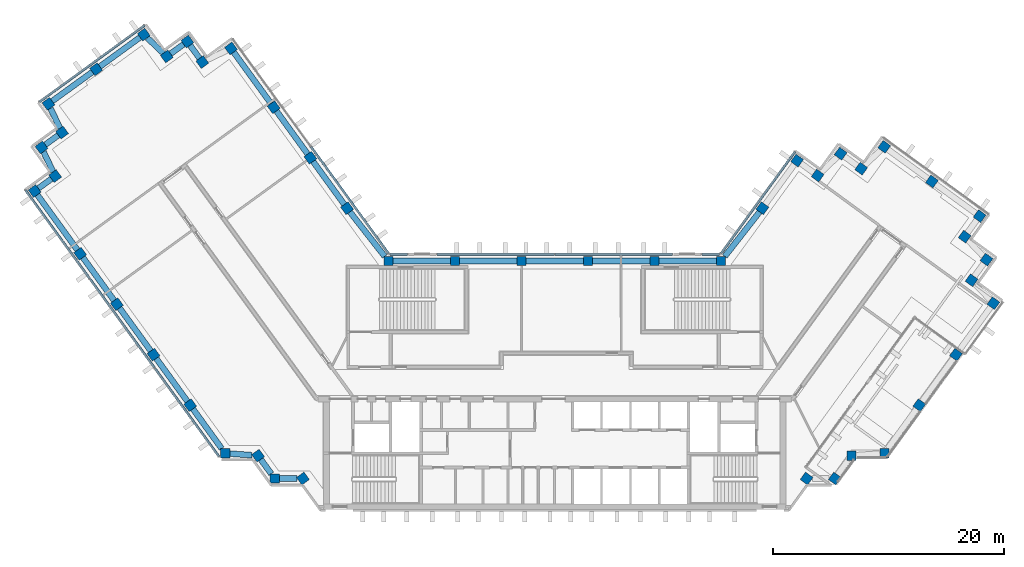
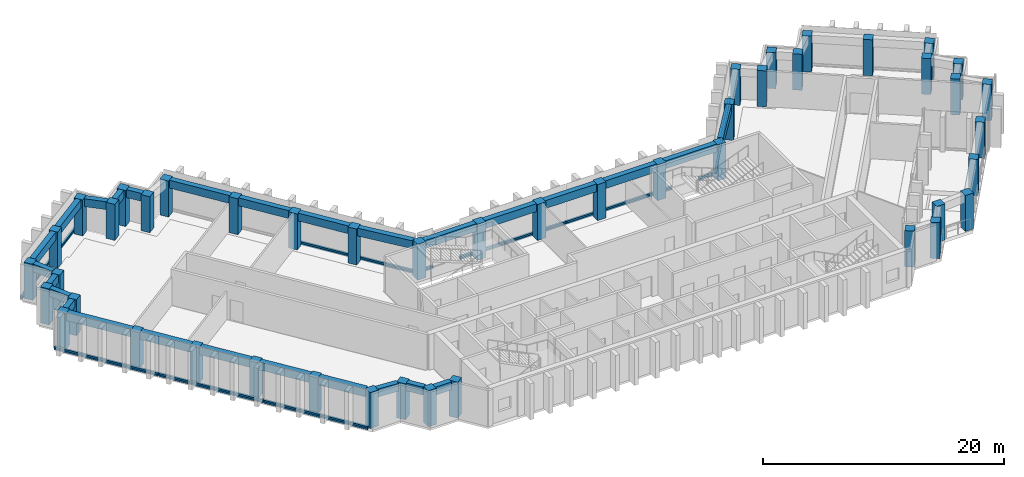
"""IFC4 building model written with IfcOpenShell, lengths in metres."""

import ifcopenshell
import ifcopenshell.guid

model = None  # the IFC model being written
_history = None  # IfcOwnerHistory: only IFC2X3 demands one
_inside = {}  # id of a spatial element -> (the spatial element, [elements in it])
_under = {}  # id of a project, library or spatial element -> (it, [spatial elements below it])
_declared = {}  # id of a project -> (the project, [libraries it declares])
_typed = {}  # id of a type object -> (the type object, [elements of that type])
_made_of = {}  # id of a material, layer set ... -> (it, [elements and type objects made of it])


def new_model(schema):
    """Start an empty IFC model of exactly this schema.

    Asked for "IFC4X3", IfcOpenShell would pick the latest addendum, in which some entities
    have other attributes; the version numbers below select the first issue.
    IFC2X3 requires an IfcOwnerHistory on every rooted entity: one is made here for all.
    """
    global model, _history
    if schema == "IFC4X3":
        model = ifcopenshell.file(schema_version=(4, 3, 0, 0))
    else:
        model = ifcopenshell.file(schema=schema)
    _inside.clear()
    _under.clear()
    _declared.clear()
    _typed.clear()
    _made_of.clear()
    _history = None
    if model.schema == "IFC2X3":
        org = make("IfcOrganization", Name="unknown")
        user = make(
            "IfcPersonAndOrganization",
            ThePerson=make("IfcPerson", FamilyName="unknown"),
            TheOrganization=org,
        )
        app = make(
            "IfcApplication",
            ApplicationDeveloper=org,
            Version="unknown",
            ApplicationFullName="unknown",
            ApplicationIdentifier="unknown",
        )
        _history = make(
            "IfcOwnerHistory",
            OwningUser=user,
            OwningApplication=app,
            ChangeAction="ADDED",
            CreationDate=0,
        )
    return model


def make(cls, **values):
    """One entity of the class cls with the attributes given. An attribute that is None is left unset."""
    return model.create_entity(
        cls, **{name: value for name, value in values.items() if value is not None}
    )


def rooted(cls, **values):
    """An entity with a GlobalId (a new one), such as an element, a storey or a relation."""
    return make(cls, GlobalId=ifcopenshell.guid.new(), OwnerHistory=_history, **values)


def si_unit(unit_type, name, prefix=None):
    """IfcSIUnit, for example si_unit("LENGTHUNIT", "METRE", prefix="MILLI")."""
    return make("IfcSIUnit", UnitType=unit_type, Prefix=prefix, Name=name)


def assignment(units):
    """IfcUnitAssignment: the units of a project."""
    return None if units is None else make("IfcUnitAssignment", Units=units)


def point(xyz):
    """IfcCartesianPoint."""
    return None if xyz is None else make("IfcCartesianPoint", Coordinates=xyz)


def direction(xyz):
    """IfcDirection."""
    return None if xyz is None else make("IfcDirection", DirectionRatios=xyz)


def frame(location, z_axis=None, x_axis=None):
    """IfcAxis2Placement3D, a coordinate frame: its origin and axes. An axis left out is left unset."""
    return make(
        "IfcAxis2Placement3D",
        Location=point(location),
        Axis=direction(z_axis),
        RefDirection=direction(x_axis),
    )


def frame_2d(location, x_axis=None):
    """IfcAxis2Placement2D, a coordinate frame in the plane: its origin and x axis."""
    return make(
        "IfcAxis2Placement2D", Location=point(location), RefDirection=direction(x_axis)
    )


def origin():
    """The frame at (0, 0, 0) with its axes left unset."""
    return frame((0.0, 0.0, 0.0))


def origin_2d():
    """The frame at (0, 0) in the plane with its x axis left unset."""
    return frame_2d((0.0, 0.0))


def place(relative_to, where):
    """IfcLocalPlacement: puts the frame where relative to a parent placement (None: the world)."""
    return make(
        "IfcLocalPlacement", PlacementRelTo=relative_to, RelativePlacement=where
    )


def context(
    kind, dimensions, precision=None, world=None, true_north=None, identifier=None
):
    """IfcGeometricRepresentationContext, for example the 3D "Model" context."""
    return make(
        "IfcGeometricRepresentationContext",
        ContextIdentifier=identifier,
        ContextType=kind,
        CoordinateSpaceDimension=dimensions,
        Precision=precision,
        WorldCoordinateSystem=world,
        TrueNorth=true_north,
    )


def subcontext(parent, identifier, kind, view, scale=None):
    """IfcGeometricRepresentationSubContext, for example "Body" below "Model"."""
    return make(
        "IfcGeometricRepresentationSubContext",
        ContextIdentifier=identifier,
        ContextType=kind,
        ParentContext=parent,
        TargetScale=scale,
        TargetView=view,
    )


def project(units=None, contexts=None):
    """IfcProject with its units and contexts."""
    return rooted(
        "IfcProject",
        Name="project",
        RepresentationContexts=contexts,
        UnitsInContext=assignment(units),
    )


def spatial(cls, under=None, at=None, **own):
    """A site, building, storey or space (cls), placed at a placement, below another one or the project."""
    s = rooted(cls, ObjectPlacement=at, **own)
    if under is not None:
        _under.setdefault(under.id(), (under, []))[1].append(s)
    return s


def profile(cls, at=None, kind="AREA", **sizes):
    """A parametric profile (cls). Its sizes go by their IFC names, for example OverallWidth=200.0."""
    return make(cls, ProfileType=kind, Position=at, **sizes)


def rectangle(**sizes):
    """IfcRectangleProfileDef."""
    return profile("IfcRectangleProfileDef", **sizes)


def extrude(swept, where, along, depth):
    """IfcExtrudedAreaSolid: the profile swept, set in the frame where, extruded along a direction by depth."""
    return make(
        "IfcExtrudedAreaSolid",
        SweptArea=swept,
        Position=where,
        ExtrudedDirection=direction(along),
        Depth=depth,
    )


def shape(context_of_items, identifier, shape_type, items):
    """IfcShapeRepresentation: the items that make up one representation, for example the "Body"."""
    return make(
        "IfcShapeRepresentation",
        ContextOfItems=context_of_items,
        RepresentationIdentifier=identifier,
        RepresentationType=shape_type,
        Items=items,
    )


def material(Name=None, Category=None):
    """IfcMaterial."""
    return make("IfcMaterial", Name=Name, Category=Category)


def material_profile(
    of_material, cross_section, Name=None, Category=None, Priority=None
):
    """IfcMaterialProfile: a cross section and its material."""
    return make(
        "IfcMaterialProfile",
        Name=Name,
        Material=of_material,
        Profile=cross_section,
        Priority=Priority,
        Category=Category,
    )


def profile_set(profiles, Name=None, composite=None):
    """IfcMaterialProfileSet."""
    return make(
        "IfcMaterialProfileSet",
        Name=Name,
        MaterialProfiles=profiles,
        CompositeProfile=composite,
    )


def made_of(thing, what):
    """Note that an element or type object is made of a material, layer set ...; save() writes the relation."""
    if what is not None:
        _made_of.setdefault(what.id(), (what, []))[1].append(thing)
    return thing


def type_object(cls, material=None, **own):
    """A type object (cls), such as IfcWallType, which elements share."""
    return made_of(rooted(cls, **own), material)


def element(
    cls,
    number,
    at=None,
    inside=None,
    cuts=None,
    type_object=None,
    material=None,
    context=None,
    identifier="Body",
    shape_type=None,
    held_by="IfcProductDefinitionShape",
    body=None,
    shapes=None,
    **own,
):
    """One element of the class cls, such as IfcWall. Its Tag is "e" and its number.

    at: its placement. inside: the storey or other place that contains it. cuts: it is an
    opening in that element (IfcRelVoidsElement). A single representation is given by context,
    identifier, shape_type and body (its items); several are given by shapes. held_by: the class
    of the entity that holds the representations. save() writes the other relations.
    """
    e = rooted(cls, Tag="e%d" % number, ObjectPlacement=at, **own)
    if body is not None:
        shapes = [shape(context, identifier, shape_type, body)]
    if shapes is not None:
        e.Representation = make(held_by, Representations=shapes)
    if inside is not None:
        _inside.setdefault(inside.id(), (inside, []))[1].append(e)
    if cuts is not None:
        rooted(
            "IfcRelVoidsElement", RelatingBuildingElement=cuts, RelatedOpeningElement=e
        )
    if type_object is not None:
        _typed.setdefault(type_object.id(), (type_object, []))[1].append(e)
    return made_of(e, material)


def aggregate(whole, parts):
    """IfcRelAggregates: a whole, such as a stair, and the parts it consists of."""
    return rooted("IfcRelAggregates", RelatingObject=whole, RelatedObjects=parts)


def save(model, path):
    """Write the relations noted so far, then the file.

    IfcRelAggregates (storeys below a building ...), IfcRelContainedInSpatialStructure (elements
    in a storey), IfcRelDefinesByType, IfcRelAssociatesMaterial and IfcRelDeclares: one each for
    every whole, place, type object, material and project.
    """
    for whole, parts in _under.values():
        aggregate(whole, parts)
    for where, things in _inside.values():
        rooted(
            "IfcRelContainedInSpatialStructure",
            RelatedElements=things,
            RelatingStructure=where,
        )
    for kind, things in _typed.values():
        rooted("IfcRelDefinesByType", RelatedObjects=things, RelatingType=kind)
    for what, things in _made_of.values():
        rooted("IfcRelAssociatesMaterial", RelatedObjects=things, RelatingMaterial=what)
    for by, libraries in _declared.values():
        rooted("IfcRelDeclares", RelatingContext=by, RelatedDefinitions=libraries)
    model.write(path)


model = new_model("IFC4")

# Units and contexts
model_context = context("Model", 3, precision=1e-05, world=origin(), true_north=direction((0.0, 1.0)))
body_context = subcontext(model_context, "Body", "Model", "MODEL_VIEW")
ifc_project = project(units=[si_unit("LENGTHUNIT", "METRE"), si_unit("AREAUNIT", "SQUARE_METRE"), si_unit("VOLUMEUNIT", "CUBIC_METRE"), si_unit("PLANEANGLEUNIT", "RADIAN"), si_unit("MASSUNIT", "GRAM", prefix="KILO")], contexts=[model_context])

# Site, building, storey
site_placement = place(None, origin())
site = spatial("IfcSite", under=ifc_project, at=site_placement, CompositionType="ELEMENT")
building_placement = place(site_placement, origin())
building = spatial("IfcBuilding", under=site, at=building_placement, Name="Quipu Civic Tower", CompositionType="ELEMENT")
storey_1_placement = place(building_placement, frame((0.0, 0.0, 206.0)))
storey_1 = spatial("IfcBuildingStorey", under=building, at=storey_1_placement, Name="L48", CompositionType="ELEMENT", Elevation=206.0)

# Columns
ifc_material_1 = material(Name="Concrete C50/60", Category="concrete")
ifc_material_profile_1 = material_profile(ifc_material_1, rectangle(XDim=0.800048828125, YDim=0.800048828125, at=origin_2d()), Name="RC800x800")
ifc_profile_set_1 = profile_set([ifc_material_profile_1], Name="Concrete C50/60")
column_type = type_object("IfcColumnType", Name="Perimeter column RC 800x800 C50/60", PredefinedType="COLUMN", material=ifc_profile_set_1)
for number, where, z_axis, x_axis, name in (
    (1, (-17.9736328125, 15.074951171875, 0.0), (0.0, 0.0, 1.0), (-0.587785252292, 0.809016994375, 0.0), "Column L48 W-IN-01"),
    (2, (-21.1474609375, 19.44384765625, 0.0), (0.0, 0.0, 1.0), (-0.587785252292, 0.809016994375, 0.0), "Column L48 W-IN-02"),
    (3, (-24.3212890625, 23.8125, 0.0), (0.0, 0.0, 1.0), (-0.587785252292, 0.809016994375, 0.0), "Column L48 W-IN-03"),
    (4, (-28.02001953125, 28.905029296875, 0.0), (0.0, 0.0, 1.0), (-0.809016994375, -0.587785252292, 0.0), "Column L48 T-Wi.0-W34"),
    (5, (-30.498779296875, 27.72265625, 0.0), (0.0, 0.0, 1.0), (-0.809016994375, -0.587785252292, 0.0), "Column L48 T-Wi.1-W34"),
    (6, (-31.794921875, 29.5, 0.0), (0.0, 0.0, 1.0), (-0.587785252292, 0.809016994375, 0.0), "Column L48 T-Wi.2-W34"),
    (7, (-33.573974609375, 28.20947265625, 0.0), (0.0, 0.0, 1.0), (-0.587785252292, 0.809016994375, 0.0), "Column L48 T-Wi.3-W34"),
    (8, (-35.56494140625, 30.10009765625, 0.0), (0.0, 0.0, 1.0), (-0.809016994375, -0.587785252292, 0.0), "Column L48 T-Wi.4-W34"),
    (9, (-39.690673828125, 27.10205078125, 0.0), (0.0, 0.0, 1.0), (-0.809016994375, -0.587785252292, 0.0), "Column L48 TIP-W-01-W34"),
    (10, (-43.81494140625, 24.10498046875, 0.0), (0.0, 0.0, 1.0), (-0.809016994375, -0.587785252292, 0.0), "Column L48 T-Wo.0-W34"),
    (11, (-42.635009765625, 21.626220703125, 0.0), (0.0, 0.0, 1.0), (-0.809016994375, -0.587785252292, 0.0), "Column L48 T-Wo.1-W34"),
    (12, (-44.4150390625, 20.3349609375, 0.0), (0.0, 0.0, 1.0), (0.587785252292, -0.809016994375, 0.0), "Column L48 T-Wo.2-W34"),
    (13, (-43.23095703125, 17.8544921875, 0.0), (0.0, 0.0, 1.0), (0.587785252292, -0.809016994375, 0.0), "Column L48 T-Wo.3-W34"),
    (14, (-45.010009765625, 16.56005859375, 0.0), (0.0, 0.0, 1.0), (0.587785252292, -0.809016994375, 0.0), "Column L48 T-Wo.4-W34"),
    (15, (-41.0703125, 11.137451171875, 0.0), (0.0, 0.0, 1.0), (0.587785252292, -0.809016994375, 0.0), "Column L48 W-OUT-04"),
    (16, (-37.896240234375, 6.768798828125, 0.0), (0.0, 0.0, 1.0), (0.587785252292, -0.809016994375, 0.0), "Column L48 W-OUT-03"),
    (17, (-34.722412109375, 2.39990234375, 0.0), (0.0, 0.0, 1.0), (0.587785252292, -0.809016994375, 0.0), "Column L48 W-OUT-02"),
    (18, (-31.54833984375, -1.96875, 0.0), (0.0, 0.0, 1.0), (0.587785252292, -0.809016994375, 0.0), "Column L48 W-OUT-01"),
    (19, (-28.52490234375, -6.1298828125, 0.0), (0.0, 0.0, 1.0), (1.0, 0.0, 0.0), "Column L48 J-Wo.0"),
    (20, (-25.67431640625, -6.3369140625, 0.0), (0.0, 0.0, 1.0), (0.587785252292, -0.809016994375, 0.0), "Column L48 J-Wo.1"),
    (21, (-24.235107421875, -8.31494140625, 0.0), (0.0, 0.0, 1.0), (1.0, 0.0, 0.0), "Column L48 J-Wo.2"),
    (22, (-21.791748046875, -8.31494140625, 0.0), (0.0, 0.0, 1.0), (0.587785252292, -0.809016994375, 0.0), "Column L48 J-Wo.3"),
    (23, (21.791748046875, -8.31494140625, 0.0), (0.0, 0.0, 1.0), (0.587785252292, 0.809016994375, 0.0), "Column L48 J-Eo.1"),
    (24, (24.235107421875, -8.31494140625, 0.0), (0.0, 0.0, 1.0), (0.587785252292, 0.809016994375, 0.0), "Column L48 J-Eo.2"),
    (25, (25.67431640625, -6.3369140625, 0.0), (0.0, 0.0, 1.0), (1.0, 0.0, 0.0), "Column L48 J-Eo.3"),
    (26, (28.52490234375, -6.1298828125, 0.0), (0.0, 0.0, 1.0), (1.0, 0.0, 0.0), "Column L48 J-Eo.4"),
    (27, (31.54833984375, -1.96875, 0.0), (0.0, 0.0, 1.0), (0.587785252292, 0.809016994375, 0.0), "Column L48 E-OUT-01"),
    (28, (34.722412109375, 2.39990234375, 0.0), (0.0, 0.0, 1.0), (0.587785252292, 0.809016994375, 0.0), "Column L48 E-OUT-02"),
    (29, (37.9599609375, 6.85498046875, 0.0), (0.0, 0.0, 1.0), (0.587785252292, 0.809016994375, 0.0), "Column L48 T-Eo.0-E22"),
    (30, (36.068115234375, 8.843994140625, 0.0), (0.0, 0.0, 1.0), (0.587785252292, 0.809016994375, 0.0), "Column L48 T-Eo.1-E22"),
    (31, (37.360107421875, 10.625, 0.0), (0.0, 0.0, 1.0), (0.587785252292, 0.809016994375, 0.0), "Column L48 T-Eo.2-E22"),
    (32, (35.470703125, 12.616455078125, 0.0), (0.0, 0.0, 1.0), (-0.809016994375, 0.587785252292, 0.0), "Column L48 T-Eo.3-E22"),
    (33, (36.764892578125, 14.39501953125, 0.0), (0.0, 0.0, 1.0), (-0.809016994375, 0.587785252292, 0.0), "Column L48 T-Eo.4-E22"),
    (34, (32.636962890625, 17.39306640625, 0.0), (0.0, 0.0, 1.0), (-0.809016994375, 0.587785252292, 0.0), "Column L48 TIP-E-01-E22"),
    (35, (28.510009765625, 20.389892578125, 0.0), (0.0, 0.0, 1.0), (-0.587785252292, -0.809016994375, 0.0), "Column L48 T-Ei.0-E22"),
    (36, (26.51904296875, 18.50048828125, 0.0), (0.0, 0.0, 1.0), (-0.809016994375, 0.587785252292, 0.0), "Column L48 T-Ei.1-E22"),
    (37, (24.739990234375, 19.794921875, 0.0), (0.0, 0.0, 1.0), (-0.587785252292, -0.809016994375, 0.0), "Column L48 T-Ei.2-E22"),
    (38, (22.749267578125, 17.904296875, 0.0), (0.0, 0.0, 1.0), (-0.587785252292, -0.809016994375, 0.0), "Column L48 T-Ei.3-E22"),
    (39, (20.969970703125, 19.195068359375, 0.0), (0.0, 0.0, 1.0), (-0.587785252292, -0.809016994375, 0.0), "Column L48 T-Ei.4-E22"),
    (40, (17.9736328125, 15.074951171875, 0.0), (0.0, 0.0, 1.0), (-0.587785252292, -0.809016994375, 0.0), "Column L48 E-IN-01"),
    (41, (14.395263671875, 10.5, 0.0), (0.0, 0.0, 1.0), (-1.0, 0.0, 0.0), "Column L48 J-Ei.0"),
    (42, (8.63720703125, 10.5, 0.0), (0.0, 0.0, 1.0), (-1.0, 0.0, 0.0), "Column L48 FRONT-01"),
    (43, (2.87890625, 10.5, 0.0), (0.0, 0.0, 1.0), (-1.0, 0.0, 0.0), "Column L48 FRONT-02"),
    (44, (-2.87890625, 10.5, 0.0), (0.0, 0.0, 1.0), (-1.0, 0.0, 0.0), "Column L48 FRONT-03"),
    (45, (-8.63720703125, 10.5, 0.0), (0.0, 0.0, 1.0), (-1.0, 0.0, 0.0), "Column L48 FRONT-04"),
    (46, (-14.395263671875, 10.5, 0.0), (0.0, 0.0, 1.0), (-1.0, 0.0, 0.0), "Column L48 J-Wi.0"),
):
    element("IfcColumn", number, at=place(storey_1_placement, frame(where, z_axis=z_axis, x_axis=x_axis)), inside=storey_1, type_object=column_type, Name=name, PredefinedType="COLUMN", context=body_context, shape_type="SweptSolid", body=[
        extrude(rectangle(XDim=0.800048828125, YDim=0.800048828125, at=origin_2d()), origin(), (0.0, 0.0, 1.0), 3.64990234375),
    ])

# Beams
ifc_material_2 = material(Name="Concrete C50/60", Category="concrete")
ifc_material_profile_2 = material_profile(ifc_material_2, rectangle(XDim=0.5, YDim=0.800048828125, at=origin_2d()), Name="RC500x800")
ifc_profile_set_2 = profile_set([ifc_material_profile_2], Name="Concrete C50/60")
beam_type = type_object("IfcBeamType", Name="Spandrel beam RC 500x800 C50/60", PredefinedType="SPANDREL", material=ifc_profile_set_2)
beam_1_placement = place(storey_1_placement, frame((-18.208740234375, 15.398681640625, 3.25), z_axis=(-0.58776136044, 0.809034352283, 0.0), x_axis=(-0.809034352283, -0.58776136044, 0.0)))
element("IfcBeam", 47, at=beam_1_placement, inside=storey_1, type_object=beam_type, Name="Spandrel beam L48 W-IN-01 to W-IN-02", PredefinedType="SPANDREL", context=body_context, shape_type="SweptSolid", body=[
    extrude(rectangle(XDim=0.5, YDim=0.800048828125, at=origin_2d()), origin(), (0.0, 0.0, 1.0), 4.599853515625),
])
beam_2_placement = place(storey_1_placement, frame((-21.382568359375, 19.767333984375, 3.25), z_axis=(-0.587736122681, 0.809052686848, 0.0), x_axis=(-0.809052686848, -0.587736122681, 0.0)))
element("IfcBeam", 48, at=beam_2_placement, inside=storey_1, type_object=beam_type, Name="Spandrel beam L48 W-IN-02 to W-IN-03", PredefinedType="SPANDREL", context=body_context, shape_type="SweptSolid", body=[
    extrude(rectangle(XDim=0.5, YDim=0.800048828125, at=origin_2d()), origin(), (0.0, 0.0, 1.0), 4.60009765625),
])
beam_3_placement = place(storey_1_placement, frame((-24.556396484375, 24.13623046875, 3.25), z_axis=(-0.587664254196, 0.809104890815, 0.0), x_axis=(-0.809104890815, -0.587664254196, 0.0)))
element("IfcBeam", 49, at=beam_3_placement, inside=storey_1, type_object=beam_type, Name="Spandrel beam L48 W-IN-03 to T-Wi.0-W34", PredefinedType="SPANDREL", context=body_context, shape_type="SweptSolid", body=[
    extrude(rectangle(XDim=0.5, YDim=0.800048828125, at=origin_2d()), origin(), (0.0, 0.0, 1.0), 5.493896484375),
])
beam_4_placement = place(storey_1_placement, frame((-30.734375, 28.0458984375, 3.25), z_axis=(-0.589342949835, 0.80788296645, 0.0), x_axis=(-0.80788296645, -0.589342949835, 0.0)))
element("IfcBeam", 50, at=beam_4_placement, inside=storey_1, type_object=beam_type, Name="Spandrel beam L48 T-Wi.1-W34 to T-Wi.2-W34", PredefinedType="SPANDREL", context=body_context, shape_type="SweptSolid", body=[
    extrude(rectangle(XDim=0.5, YDim=0.800048828125, at=origin_2d()), origin(), (0.0, 0.0, 1.0), 1.39990234375),
])
beam_5_placement = place(storey_1_placement, frame((-32.118896484375, 29.26513671875, 3.25), z_axis=(-0.80941533633, -0.587236590578, 0.0), x_axis=(0.587236590578, -0.80941533633, 0.0)))
element("IfcBeam", 51, at=beam_5_placement, inside=storey_1, type_object=beam_type, Name="Spandrel beam L48 T-Wi.2-W34 to T-Wi.3-W34", PredefinedType="SPANDREL", context=body_context, shape_type="SweptSolid", body=[
    extrude(rectangle(XDim=0.5, YDim=0.800048828125, at=origin_2d()), origin(), (0.0, 0.0, 1.0), 1.397705078125),
])
beam_6_placement = place(storey_1_placement, frame((-33.868896484375, 28.489501953125, 3.25), z_axis=(-0.72519185421, 0.68854685722, 0.0), x_axis=(-0.68854685722, -0.72519185421, 0.0)))
element("IfcBeam", 52, at=beam_6_placement, inside=storey_1, type_object=beam_type, Name="Spandrel beam L48 T-Wi.3-W34 to T-Wi.4-W34", PredefinedType="SPANDREL", context=body_context, shape_type="SweptSolid", body=[
    extrude(rectangle(XDim=0.5, YDim=0.800048828125, at=origin_2d()), origin(), (0.0, 0.0, 1.0), 1.93212890625),
])
beam_7_placement = place(storey_1_placement, frame((-35.888671875, 29.86474609375, 3.25), z_axis=(-0.808983997561, -0.58783066583, 0.0), x_axis=(0.58783066583, -0.808983997561, 0.0)))
element("IfcBeam", 53, at=beam_7_placement, inside=storey_1, type_object=beam_type, Name="Spandrel beam L48 T-Wi.4-W34 to TIP-W-01-W34", PredefinedType="SPANDREL", context=body_context, shape_type="SweptSolid", body=[
    extrude(rectangle(XDim=0.5, YDim=0.800048828125, at=origin_2d()), origin(), (0.0, 0.0, 1.0), 4.2998046875),
])
beam_8_placement = place(storey_1_placement, frame((-40.014404296875, 26.866943359375, 3.25), z_axis=(-0.808947267178, -0.587881211578, 0.0), x_axis=(0.587881211578, -0.808947267178, 0.0)))
element("IfcBeam", 54, at=beam_8_placement, inside=storey_1, type_object=beam_type, Name="Spandrel beam L48 TIP-W-01-W34 to T-Wo.0-W34", PredefinedType="SPANDREL", context=body_context, shape_type="SweptSolid", body=[
    extrude(rectangle(XDim=0.5, YDim=0.800048828125, at=origin_2d()), origin(), (0.0, 0.0, 1.0), 4.29833984375),
])
beam_9_placement = place(storey_1_placement, frame((-43.64013671875, 23.737548828125, 3.25), z_axis=(0.429889421342, -0.902881545618, 0.0), x_axis=(0.902881545618, 0.429889421342, 0.0)))
element("IfcBeam", 55, at=beam_9_placement, inside=storey_1, type_object=beam_type, Name="Spandrel beam L48 T-Wo.0-W34 to T-Wo.1-W34", PredefinedType="SPANDREL", context=body_context, shape_type="SweptSolid", body=[
    extrude(rectangle(XDim=0.5, YDim=0.800048828125, at=origin_2d()), origin(), (0.0, 0.0, 1.0), 1.931396484375),
])
beam_10_placement = place(storey_1_placement, frame((-42.958740234375, 21.391357421875, 3.25), z_axis=(-0.809467380413, -0.587164849125, 0.0), x_axis=(0.587164849125, -0.809467380413, 0.0)))
element("IfcBeam", 56, at=beam_10_placement, inside=storey_1, type_object=beam_type, Name="Spandrel beam L48 T-Wo.1-W34 to T-Wo.2-W34", PredefinedType="SPANDREL", context=body_context, shape_type="SweptSolid", body=[
    extrude(rectangle(XDim=0.5, YDim=0.800048828125, at=origin_2d()), origin(), (0.0, 0.0, 1.0), 1.399169921875),
])
beam_11_placement = place(storey_1_placement, frame((-44.23974609375, 19.9677734375, 3.25), z_axis=(0.430785642718, -0.902454281406, 0.0), x_axis=(0.902454281406, 0.430785642718, 0.0)))
element("IfcBeam", 57, at=beam_11_placement, inside=storey_1, type_object=beam_type, Name="Spandrel beam L48 T-Wo.2-W34 to T-Wo.3-W34", PredefinedType="SPANDREL", context=body_context, shape_type="SweptSolid", body=[
    extrude(rectangle(XDim=0.5, YDim=0.800048828125, at=origin_2d()), origin(), (0.0, 0.0, 1.0), 1.934814453125),
])
beam_12_placement = place(storey_1_placement, frame((-43.554443359375, 17.619140625, 3.25), z_axis=(-0.808600329101, -0.588358315805, 0.0), x_axis=(0.588358315805, -0.808600329101, 0.0)))
element("IfcBeam", 58, at=beam_12_placement, inside=storey_1, type_object=beam_type, Name="Spandrel beam L48 T-Wo.3-W34 to T-Wo.4-W34", PredefinedType="SPANDREL", context=body_context, shape_type="SweptSolid", body=[
    extrude(rectangle(XDim=0.5, YDim=0.800048828125, at=origin_2d()), origin(), (0.0, 0.0, 1.0), 1.400146484375),
])
beam_13_placement = place(storey_1_placement, frame((-44.77490234375, 16.236328125, 3.25), z_axis=(0.58780026889, -0.809006083965, 0.0), x_axis=(0.809006083965, 0.58780026889, 0.0)))
element("IfcBeam", 59, at=beam_13_placement, inside=storey_1, type_object=beam_type, Name="Spandrel beam L48 T-Wo.4-W34 to W-OUT-04", PredefinedType="SPANDREL", context=body_context, shape_type="SweptSolid", body=[
    extrude(rectangle(XDim=0.5, YDim=0.800048828125, at=origin_2d()), origin(), (0.0, 0.0, 1.0), 5.902587890625),
])
beam_14_placement = place(storey_1_placement, frame((-40.835205078125, 10.81396484375, 3.25), z_axis=(0.587770861189, -0.809027449928, 0.0), x_axis=(0.809027449928, 0.587770861189, 0.0)))
element("IfcBeam", 60, at=beam_14_placement, inside=storey_1, type_object=beam_type, Name="Spandrel beam L48 W-OUT-04 to W-OUT-03", PredefinedType="SPANDREL", context=body_context, shape_type="SweptSolid", body=[
    extrude(rectangle(XDim=0.5, YDim=0.800048828125, at=origin_2d()), origin(), (0.0, 0.0, 1.0), 4.60009765625),
])
beam_15_placement = place(storey_1_placement, frame((-37.6611328125, 6.445068359375, 3.25), z_axis=(0.58776136044, -0.809034352283, 0.0), x_axis=(0.809034352283, 0.58776136044, 0.0)))
element("IfcBeam", 61, at=beam_15_placement, inside=storey_1, type_object=beam_type, Name="Spandrel beam L48 W-OUT-03 to W-OUT-02", PredefinedType="SPANDREL", context=body_context, shape_type="SweptSolid", body=[
    extrude(rectangle(XDim=0.5, YDim=0.800048828125, at=origin_2d()), origin(), (0.0, 0.0, 1.0), 4.599853515625),
])
beam_16_placement = place(storey_1_placement, frame((-34.4873046875, 2.076416015625, 3.25), z_axis=(0.587796098864, -0.809009113768, 0.0), x_axis=(0.809009113768, 0.587796098864, 0.0)))
element("IfcBeam", 62, at=beam_16_placement, inside=storey_1, type_object=beam_type, Name="Spandrel beam L48 W-OUT-02 to W-OUT-01", PredefinedType="SPANDREL", context=body_context, shape_type="SweptSolid", body=[
    extrude(rectangle(XDim=0.5, YDim=0.800048828125, at=origin_2d()), origin(), (0.0, 0.0, 1.0), 4.60009765625),
])
beam_17_placement = place(storey_1_placement, frame((-31.313232421875, -2.292236328125, 3.25), z_axis=(0.58776850526, -0.809029161541, 0.0), x_axis=(0.809029161541, 0.58776850526, 0.0)))
element("IfcBeam", 63, at=beam_17_placement, inside=storey_1, type_object=beam_type, Name="Spandrel beam L48 W-OUT-01 to J-Wo.0", PredefinedType="SPANDREL", context=body_context, shape_type="SweptSolid", body=[
    extrude(rectangle(XDim=0.5, YDim=0.800048828125, at=origin_2d()), origin(), (0.0, 0.0, 1.0), 4.249267578125),
])
beam_18_placement = place(storey_1_placement, frame((-28.125, -6.158935546875, 3.25), z_axis=(0.997370796499, -0.072467194581, 0.0), x_axis=(0.072467194581, 0.997370796499, 0.0)))
element("IfcBeam", 64, at=beam_18_placement, inside=storey_1, type_object=beam_type, Name="Spandrel beam L48 J-Wo.0 to J-Wo.1", PredefinedType="SPANDREL", context=body_context, shape_type="SweptSolid", body=[
    extrude(rectangle(XDim=0.5, YDim=0.800048828125, at=origin_2d()), origin(), (0.0, 0.0, 1.0), 1.933837890625),
])
beam_19_placement = place(storey_1_placement, frame((-25.43896484375, -6.660400390625, 3.25), z_axis=(0.588330737135, -0.808620395329, 0.0), x_axis=(0.808620395329, 0.588330737135, 0.0)))
element("IfcBeam", 65, at=beam_19_placement, inside=storey_1, type_object=beam_type, Name="Spandrel beam L48 J-Wo.1 to J-Wo.2", PredefinedType="SPANDREL", context=body_context, shape_type="SweptSolid", body=[
    extrude(rectangle(XDim=0.5, YDim=0.800048828125, at=origin_2d()), origin(), (0.0, 0.0, 1.0), 1.551513671875),
])
beam_20_placement = place(storey_1_placement, frame((-23.8349609375, -8.31494140625, 3.25), z_axis=(1.0, 0.0, 0.0), x_axis=(0.0, 1.0, 0.0)))
element("IfcBeam", 66, at=beam_20_placement, inside=storey_1, type_object=beam_type, Name="Spandrel beam L48 J-Wo.2 to J-Wo.3", PredefinedType="SPANDREL", context=body_context, shape_type="SweptSolid", body=[
    extrude(rectangle(XDim=0.5, YDim=0.800048828125, at=origin_2d()), origin(), (0.0, 0.0, 1.0), 1.548828125),
])
beam_21_placement = place(storey_1_placement, frame((17.72705078125, 14.759765625, 3.25), z_axis=(-0.616090612932, -0.787675286306, 0.0), x_axis=(0.787675286306, -0.616090612932, 0.0)))
element("IfcBeam", 67, at=beam_21_placement, inside=storey_1, type_object=beam_type, Name="Spandrel beam L48 E-IN-01 to J-Ei.0", PredefinedType="SPANDREL", context=body_context, shape_type="SweptSolid", body=[
    extrude(rectangle(XDim=0.5, YDim=0.800048828125, at=origin_2d()), origin(), (0.0, 0.0, 1.0), 4.900390625),
])
for number, where, z_axis, x_axis, name in (
    (68, (13.9951171875, 10.5, 3.25), (-1.0, 0.0, 0.0), (0.0, -1.0, 0.0), "Spandrel beam L48 J-Ei.0 to FRONT-01"),
    (69, (8.237060546875, 10.5, 3.25), (-1.0, 0.0, 0.0), (0.0, -1.0, 0.0), "Spandrel beam L48 FRONT-01 to FRONT-02"),
    (70, (2.47900390625, 10.5, 3.25), (-1.0, 0.0, 0.0), (0.0, -1.0, 0.0), "Spandrel beam L48 FRONT-02 to FRONT-03"),
    (71, (-3.279052734375, 10.5, 3.25), (-1.0, 0.0, 0.0), (0.0, -1.0, 0.0), "Spandrel beam L48 FRONT-03 to FRONT-04"),
    (72, (-9.037109375, 10.5, 3.25), (-1.0, 0.0, 0.0), (0.0, -1.0, 0.0), "Spandrel beam L48 FRONT-04 to J-Wi.0"),
):
    element("IfcBeam", number, at=place(storey_1_placement, frame(where, z_axis=z_axis, x_axis=x_axis)), inside=storey_1, type_object=beam_type, Name=name, PredefinedType="SPANDREL", context=body_context, shape_type="SweptSolid", body=[
        extrude(rectangle(XDim=0.5, YDim=0.800048828125, at=origin_2d()), origin(), (0.0, 0.0, 1.0), 4.9580078125),
    ])
beam_22_placement = place(storey_1_placement, frame((-14.7080078125, 10.89990234375, 3.25), z_axis=(-0.616090612932, 0.787675286306, 0.0), x_axis=(-0.787675286306, -0.616090612932, 0.0)))
element("IfcBeam", 73, at=beam_22_placement, inside=storey_1, type_object=beam_type, Name="Spandrel beam L48 J-Wi.0 to W-IN-01", PredefinedType="SPANDREL", context=body_context, shape_type="SweptSolid", body=[
    extrude(rectangle(XDim=0.5, YDim=0.800048828125, at=origin_2d()), origin(), (0.0, 0.0, 1.0), 4.900390625),
])

# Storey
storey_2_placement = place(building_placement, frame((0.0, 0.0, 198.0)))
storey_2 = spatial("IfcBuildingStorey", under=building, at=storey_2_placement, Name="L46", CompositionType="ELEMENT", Elevation=198.0)

# Curtain wall, member
ifc_material_3 = material(Name="Insulated glass unit", Category="glass")
curtain_wall_type = type_object("IfcCurtainWallType", Name="Office curtain wall CW1", PredefinedType="NOTDEFINED", material=ifc_material_3)
curtain_wall_1_placement = place(storey_2_placement, origin())
curtain_wall_1 = element("IfcCurtainWall", 74, at=curtain_wall_1_placement, inside=storey_2, type_object=curtain_wall_type, Name="Office curtain wall CW1 L45 run 11", PredefinedType="NOTDEFINED")
ifc_material_4 = material(Name="Anodised aluminium", Category="aluminium")
ifc_material_profile_3 = material_profile(ifc_material_4, rectangle(XDim=0.199951171875, YDim=0.159912109375, at=origin_2d()), Name="RECT 200x160")
ifc_profile_set_3 = profile_set([ifc_material_profile_3], Name="Anodised aluminium")
member_type = type_object("IfcMemberType", Name="Transom CW1", PredefinedType="USERDEFINED", material=ifc_profile_set_3)
member_1_placement = place(storey_1_placement, frame((20.788818359375, 19.97021484375, 0.0), z_axis=(-0.587796859727, -0.809008560953, 0.0), x_axis=(0.809008560953, -0.587796859727, 0.0)))
member_1 = element("IfcMember", 75, at=member_1_placement, inside=storey_1, type_object=member_type, Name="CW1 transom 1.4", ObjectType="TRANSOM", PredefinedType="USERDEFINED", context=body_context, shape_type="SweptSolid", body=[
    extrude(rectangle(XDim=0.199951171875, YDim=0.159912109375, at=origin_2d()), origin(), (0.0, 0.0, 1.0), 10.88427734375),
])
aggregate(curtain_wall_1, [member_1])

curtain_wall_2_placement = place(storey_2_placement, origin())
curtain_wall_2 = element("IfcCurtainWall", 76, at=curtain_wall_2_placement, inside=storey_2, type_object=curtain_wall_type, Name="Office curtain wall CW1 L45 run 12", PredefinedType="NOTDEFINED")
member_2_placement = place(storey_1_placement, frame((14.26416015625, 11.10009765625, 0.0), z_axis=(-1.0, 0.0, 0.0), x_axis=(0.0, -1.0, 0.0)))
member_2 = element("IfcMember", 77, at=member_2_placement, inside=storey_1, type_object=member_type, Name="CW1 transom 1.4", ObjectType="TRANSOM", PredefinedType="USERDEFINED", context=body_context, shape_type="SweptSolid", body=[
    extrude(rectangle(XDim=0.199951171875, YDim=0.159912109375, at=origin_2d()), origin(), (0.0, 0.0, 1.0), 1.529052734375),
])
aggregate(curtain_wall_2, [member_2])

# Curtain wall, members
curtain_wall_3_placement = place(storey_2_placement, origin())
curtain_wall_3 = element("IfcCurtainWall", 78, at=curtain_wall_3_placement, inside=storey_2, type_object=curtain_wall_type, Name="Office curtain wall CW1 L45 run 14", PredefinedType="NOTDEFINED")
member_3_placement = place(storey_1_placement, frame((10.18359375, 11.10009765625, 0.0), z_axis=(-1.0, 0.0, 0.0), x_axis=(0.0, -1.0, 0.0)))
member_3 = element("IfcMember", 79, at=member_3_placement, inside=storey_1, type_object=member_type, Name="CW1 transom 1.4", ObjectType="TRANSOM", PredefinedType="USERDEFINED", context=body_context, shape_type="SweptSolid", body=[
    extrude(rectangle(XDim=0.199951171875, YDim=0.159912109375, at=origin_2d()), origin(), (0.0, 0.0, 1.0), 10.1435546875),
])
member_4_placement = place(storey_1_placement, frame((-0.0400390625, 11.10009765625, 0.0), z_axis=(-1.0, 0.0, 0.0), x_axis=(0.0, -1.0, 0.0)))
member_4 = element("IfcMember", 80, at=member_4_placement, inside=storey_1, type_object=member_type, Name="CW1 transom 2.4", ObjectType="TRANSOM", PredefinedType="USERDEFINED", context=body_context, shape_type="SweptSolid", body=[
    extrude(rectangle(XDim=0.199951171875, YDim=0.159912109375, at=origin_2d()), origin(), (0.0, 0.0, 1.0), 10.1435546875),
])
aggregate(curtain_wall_3, [member_3, member_4])

# Curtain wall, member
curtain_wall_4_placement = place(storey_2_placement, origin())
curtain_wall_4 = element("IfcCurtainWall", 81, at=curtain_wall_4_placement, inside=storey_2, type_object=curtain_wall_type, Name="Office curtain wall CW1 L45 run 16", PredefinedType="NOTDEFINED")
member_5_placement = place(storey_1_placement, frame((-12.735107421875, 11.10009765625, 0.0), z_axis=(-1.0, 0.0, 0.0), x_axis=(0.0, -1.0, 0.0)))
member_5 = element("IfcMember", 82, at=member_5_placement, inside=storey_1, type_object=member_type, Name="CW1 transom 1.4", ObjectType="TRANSOM", PredefinedType="USERDEFINED", context=body_context, shape_type="SweptSolid", body=[
    extrude(rectangle(XDim=0.199951171875, YDim=0.159912109375, at=origin_2d()), origin(), (0.0, 0.0, 1.0), 1.529052734375),
])
aggregate(curtain_wall_4, [member_5])

curtain_wall_5_placement = place(storey_2_placement, origin())
curtain_wall_5 = element("IfcCurtainWall", 83, at=curtain_wall_5_placement, inside=storey_2, type_object=curtain_wall_type, Name="Office curtain wall CW1 L45 run 17", PredefinedType="NOTDEFINED")
member_6_placement = place(storey_1_placement, frame((-14.39111328125, 11.164794921875, 0.0), z_axis=(-0.587799878401, 0.809006367683, 0.0), x_axis=(-0.809006367683, -0.587799878401, 0.0)))
member_6 = element("IfcMember", 84, at=member_6_placement, inside=storey_1, type_object=member_type, Name="CW1 transom 1.4", ObjectType="TRANSOM", PredefinedType="USERDEFINED", context=body_context, shape_type="SweptSolid", body=[
    extrude(rectangle(XDim=0.199951171875, YDim=0.159912109375, at=origin_2d()), origin(), (0.0, 0.0, 1.0), 11.402099609375),
])
aggregate(curtain_wall_5, [member_6])

curtain_wall_6_placement = place(storey_2_placement, origin())
curtain_wall_6 = element("IfcCurtainWall", 85, at=curtain_wall_6_placement, inside=storey_2, type_object=curtain_wall_type, Name="Office curtain wall CW1 L45 run 22", PredefinedType="NOTDEFINED")
member_7_placement = place(storey_1_placement, frame((-35.496826171875, 30.890869140625, 0.0), z_axis=(-0.809014959561, -0.587788052963, 0.0), x_axis=(0.587788052963, -0.809014959561, 0.0)))
member_7 = element("IfcMember", 86, at=member_7_placement, inside=storey_1, type_object=member_type, Name="CW1 transom 1.4", ObjectType="TRANSOM", PredefinedType="USERDEFINED", context=body_context, shape_type="SweptSolid", body=[
    extrude(rectangle(XDim=0.199951171875, YDim=0.159912109375, at=origin_2d()), origin(), (0.0, 0.0, 1.0), 11.239990234375),
])
aggregate(curtain_wall_6, [member_7])

# Curtain wall, members
curtain_wall_7_placement = place(storey_2_placement, origin())
curtain_wall_7 = element("IfcCurtainWall", 87, at=curtain_wall_7_placement, inside=storey_2, type_object=curtain_wall_type, Name="Office curtain wall CW1 L45 run 27", PredefinedType="NOTDEFINED")
member_8_placement = place(storey_1_placement, frame((-45.802490234375, 16.629638671875, 0.0), z_axis=(0.587783783239, -0.809018061703, 0.0), x_axis=(0.809018061703, 0.587783783239, 0.0)))
member_8 = element("IfcMember", 88, at=member_8_placement, inside=storey_1, type_object=member_type, Name="CW1 transom 1.4", ObjectType="TRANSOM", PredefinedType="USERDEFINED", context=body_context, shape_type="SweptSolid", body=[
    extrude(rectangle(XDim=0.199951171875, YDim=0.159912109375, at=origin_2d()), origin(), (0.0, 0.0, 1.0), 9.431884765625),
])
member_9_placement = place(storey_1_placement, frame((-40.21142578125, 8.934326171875, 0.0), z_axis=(0.587773158676, -0.809025780763, 0.0), x_axis=(0.809025780763, 0.587773158676, 0.0)))
member_9 = element("IfcMember", 89, at=member_9_placement, inside=storey_1, type_object=member_type, Name="CW1 transom 2.4", ObjectType="TRANSOM", PredefinedType="USERDEFINED", context=body_context, shape_type="SweptSolid", body=[
    extrude(rectangle(XDim=0.199951171875, YDim=0.159912109375, at=origin_2d()), origin(), (0.0, 0.0, 1.0), 9.471923828125),
])
member_10_placement = place(storey_1_placement, frame((-34.596923828125, 1.20654296875, 0.0), z_axis=(0.587783783239, -0.809018061703, 0.0), x_axis=(0.809018061703, 0.587783783239, 0.0)))
member_10 = element("IfcMember", 90, at=member_10_placement, inside=storey_1, type_object=member_type, Name="CW1 transom 3.4", ObjectType="TRANSOM", PredefinedType="USERDEFINED", context=body_context, shape_type="SweptSolid", body=[
    extrude(rectangle(XDim=0.199951171875, YDim=0.159912109375, at=origin_2d()), origin(), (0.0, 0.0, 1.0), 9.431884765625),
])
aggregate(curtain_wall_7, [member_8, member_9, member_10])

# Storey
storey_3_placement = place(building_placement, frame((0.0, 0.0, 210.0)))
storey_3 = spatial("IfcBuildingStorey", under=building, at=storey_3_placement, Name="L49", CompositionType="ELEMENT", Elevation=210.0)

# Curtain wall, member
curtain_wall_8_placement = place(storey_3_placement, origin())
curtain_wall_8 = element("IfcCurtainWall", 91, at=curtain_wall_8_placement, inside=storey_3, type_object=curtain_wall_type, Name="Office curtain wall CW1 L48 run 8", PredefinedType="NOTDEFINED")
member_11_placement = place(storey_1_placement, frame((-14.39111328125, 11.164794921875, 0.159912109375), z_axis=(-0.587799878401, 0.809006367683, 0.0), x_axis=(-0.809006367683, -0.587799878401, 0.0)))
member_11 = element("IfcMember", 92, at=member_11_placement, inside=storey_1, type_object=member_type, Name="CW1 transom 1.1", ObjectType="TRANSOM", PredefinedType="USERDEFINED", context=body_context, shape_type="SweptSolid", body=[
    extrude(rectangle(XDim=0.199951171875, YDim=0.159912109375, at=origin_2d()), origin(), (0.0, 0.0, 1.0), 11.402099609375),
])
aggregate(curtain_wall_8, [member_11])

curtain_wall_9_placement = place(storey_3_placement, origin())
curtain_wall_9 = element("IfcCurtainWall", 93, at=curtain_wall_9_placement, inside=storey_3, type_object=curtain_wall_type, Name="Office curtain wall CW1 L48 run 13", PredefinedType="NOTDEFINED")
member_12_placement = place(storey_1_placement, frame((-35.496826171875, 30.890869140625, 0.159912109375), z_axis=(-0.809014959561, -0.587788052963, 0.0), x_axis=(0.587788052963, -0.809014959561, 0.0)))
member_12 = element("IfcMember", 94, at=member_12_placement, inside=storey_1, type_object=member_type, Name="CW1 transom 1.1", ObjectType="TRANSOM", PredefinedType="USERDEFINED", context=body_context, shape_type="SweptSolid", body=[
    extrude(rectangle(XDim=0.199951171875, YDim=0.159912109375, at=origin_2d()), origin(), (0.0, 0.0, 1.0), 11.239990234375),
])
aggregate(curtain_wall_9, [member_12])

# Curtain wall, members
curtain_wall_10_placement = place(storey_3_placement, origin())
curtain_wall_10 = element("IfcCurtainWall", 95, at=curtain_wall_10_placement, inside=storey_3, type_object=curtain_wall_type, Name="Office curtain wall CW1 L48 run 18", PredefinedType="NOTDEFINED")
member_13_placement = place(storey_1_placement, frame((-45.802490234375, 16.629638671875, 0.159912109375), z_axis=(0.587783783239, -0.809018061703, 0.0), x_axis=(0.809018061703, 0.587783783239, 0.0)))
member_13 = element("IfcMember", 96, at=member_13_placement, inside=storey_1, type_object=member_type, Name="CW1 transom 1.1", ObjectType="TRANSOM", PredefinedType="USERDEFINED", context=body_context, shape_type="SweptSolid", body=[
    extrude(rectangle(XDim=0.199951171875, YDim=0.159912109375, at=origin_2d()), origin(), (0.0, 0.0, 1.0), 9.431884765625),
])
member_14_placement = place(storey_1_placement, frame((-40.21142578125, 8.934326171875, 0.159912109375), z_axis=(0.587773158676, -0.809025780763, 0.0), x_axis=(0.809025780763, 0.587773158676, 0.0)))
member_14 = element("IfcMember", 97, at=member_14_placement, inside=storey_1, type_object=member_type, Name="CW1 transom 2.1", ObjectType="TRANSOM", PredefinedType="USERDEFINED", context=body_context, shape_type="SweptSolid", body=[
    extrude(rectangle(XDim=0.199951171875, YDim=0.159912109375, at=origin_2d()), origin(), (0.0, 0.0, 1.0), 9.471923828125),
])
member_15_placement = place(storey_1_placement, frame((-34.596923828125, 1.20654296875, 0.159912109375), z_axis=(0.587783783239, -0.809018061703, 0.0), x_axis=(0.809018061703, 0.587783783239, 0.0)))
member_15 = element("IfcMember", 98, at=member_15_placement, inside=storey_1, type_object=member_type, Name="CW1 transom 3.1", ObjectType="TRANSOM", PredefinedType="USERDEFINED", context=body_context, shape_type="SweptSolid", body=[
    extrude(rectangle(XDim=0.199951171875, YDim=0.159912109375, at=origin_2d()), origin(), (0.0, 0.0, 1.0), 9.431884765625),
])
aggregate(curtain_wall_10, [member_13, member_14, member_15])

# Curtain wall, member
curtain_wall_11_placement = place(storey_3_placement, origin())
curtain_wall_11 = element("IfcCurtainWall", 99, at=curtain_wall_11_placement, inside=storey_3, type_object=curtain_wall_type, Name="Office curtain wall CW1 L48 run 33", PredefinedType="NOTDEFINED")
member_16_placement = place(storey_1_placement, frame((20.788818359375, 19.97021484375, 0.159912109375), z_axis=(-0.587796859727, -0.809008560953, 0.0), x_axis=(0.809008560953, -0.587796859727, 0.0)))
member_16 = element("IfcMember", 100, at=member_16_placement, inside=storey_1, type_object=member_type, Name="CW1 transom 1.1", ObjectType="TRANSOM", PredefinedType="USERDEFINED", context=body_context, shape_type="SweptSolid", body=[
    extrude(rectangle(XDim=0.199951171875, YDim=0.159912109375, at=origin_2d()), origin(), (0.0, 0.0, 1.0), 10.88427734375),
])
aggregate(curtain_wall_11, [member_16])

curtain_wall_12_placement = place(storey_3_placement, origin())
curtain_wall_12 = element("IfcCurtainWall", 101, at=curtain_wall_12_placement, inside=storey_3, type_object=curtain_wall_type, Name="Office curtain wall CW1 L48 run 34", PredefinedType="NOTDEFINED")
member_17_placement = place(storey_1_placement, frame((14.26416015625, 11.10009765625, 0.159912109375), z_axis=(-1.0, 0.0, 0.0), x_axis=(0.0, -1.0, 0.0)))
member_17 = element("IfcMember", 102, at=member_17_placement, inside=storey_1, type_object=member_type, Name="CW1 transom 1.1", ObjectType="TRANSOM", PredefinedType="USERDEFINED", context=body_context, shape_type="SweptSolid", body=[
    extrude(rectangle(XDim=0.199951171875, YDim=0.159912109375, at=origin_2d()), origin(), (0.0, 0.0, 1.0), 1.529052734375),
])
aggregate(curtain_wall_12, [member_17])

# Curtain wall, members
curtain_wall_13_placement = place(storey_3_placement, origin())
curtain_wall_13 = element("IfcCurtainWall", 103, at=curtain_wall_13_placement, inside=storey_3, type_object=curtain_wall_type, Name="Office curtain wall CW1 L48 run 36", PredefinedType="NOTDEFINED")
member_18_placement = place(storey_1_placement, frame((10.18359375, 11.10009765625, 0.159912109375), z_axis=(-1.0, 0.0, 0.0), x_axis=(0.0, -1.0, 0.0)))
member_18 = element("IfcMember", 104, at=member_18_placement, inside=storey_1, type_object=member_type, Name="CW1 transom 1.1", ObjectType="TRANSOM", PredefinedType="USERDEFINED", context=body_context, shape_type="SweptSolid", body=[
    extrude(rectangle(XDim=0.199951171875, YDim=0.159912109375, at=origin_2d()), origin(), (0.0, 0.0, 1.0), 10.1435546875),
])
member_19_placement = place(storey_1_placement, frame((-0.0400390625, 11.10009765625, 0.159912109375), z_axis=(-1.0, 0.0, 0.0), x_axis=(0.0, -1.0, 0.0)))
member_19 = element("IfcMember", 105, at=member_19_placement, inside=storey_1, type_object=member_type, Name="CW1 transom 2.1", ObjectType="TRANSOM", PredefinedType="USERDEFINED", context=body_context, shape_type="SweptSolid", body=[
    extrude(rectangle(XDim=0.199951171875, YDim=0.159912109375, at=origin_2d()), origin(), (0.0, 0.0, 1.0), 10.1435546875),
])
aggregate(curtain_wall_13, [member_18, member_19])

# Curtain wall, member
curtain_wall_14_placement = place(storey_3_placement, origin())
curtain_wall_14 = element("IfcCurtainWall", 106, at=curtain_wall_14_placement, inside=storey_3, type_object=curtain_wall_type, Name="Office curtain wall CW1 L48 run 38", PredefinedType="NOTDEFINED")
member_20_placement = place(storey_1_placement, frame((-12.735107421875, 11.10009765625, 0.159912109375), z_axis=(-1.0, 0.0, 0.0), x_axis=(0.0, -1.0, 0.0)))
member_20 = element("IfcMember", 107, at=member_20_placement, inside=storey_1, type_object=member_type, Name="CW1 transom 1.1", ObjectType="TRANSOM", PredefinedType="USERDEFINED", context=body_context, shape_type="SweptSolid", body=[
    extrude(rectangle(XDim=0.199951171875, YDim=0.159912109375, at=origin_2d()), origin(), (0.0, 0.0, 1.0), 1.529052734375),
])
aggregate(curtain_wall_14, [member_20])

save(model, "model.ifc")
